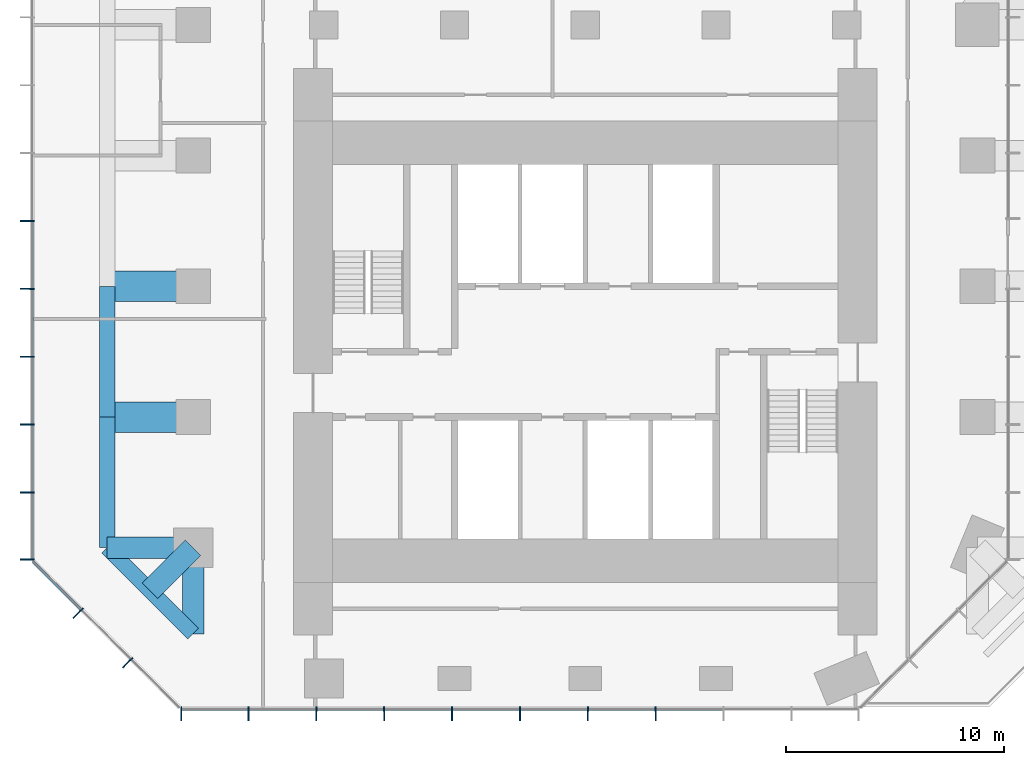
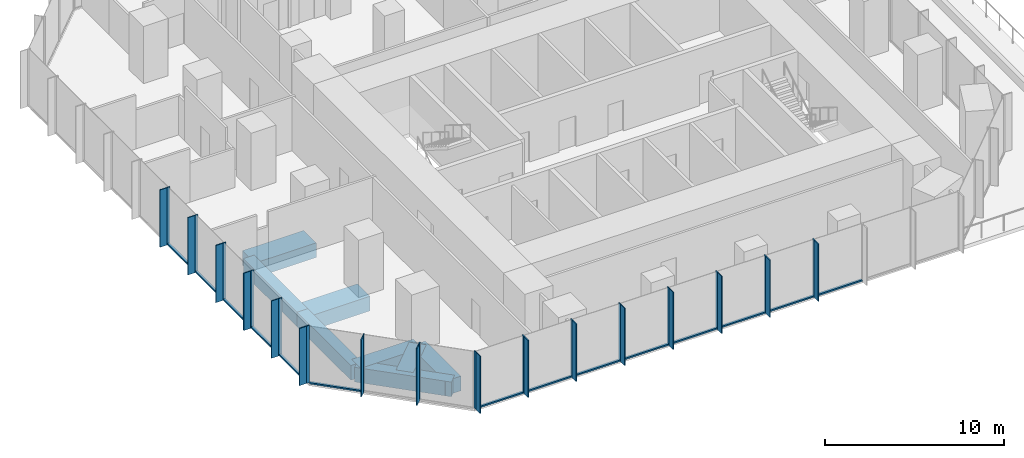
# One storey, part 2 of 11: 46 members, 8 beams, 3 elements without a shape of their own.
"""IFC4 building model written with IfcOpenShell, lengths in metres."""

from ifc_helpers import new_model, si_unit, direction, frame, origin, origin_2d, place, context, subcontext, project, spatial, rectangle, extrude, material, layer, layer_set, material_profile, profile_set, type_object, element, aggregate, save


model = new_model("IFC4")

# Units and contexts
model_context = context("Model", 3, precision=1e-05, world=origin(), true_north=direction((0.0, 1.0)))
body_context = subcontext(model_context, "Body", "Model", "MODEL_VIEW")
ifc_project = project(units=[si_unit("LENGTHUNIT", "METRE"), si_unit("AREAUNIT", "SQUARE_METRE"), si_unit("VOLUMEUNIT", "CUBIC_METRE"), si_unit("PLANEANGLEUNIT", "RADIAN"), si_unit("MASSUNIT", "GRAM", prefix="KILO")], contexts=[model_context])

# Site, building, storey
site_placement = place(None, origin())
site = spatial("IfcSite", under=ifc_project, at=site_placement, CompositionType="ELEMENT")
building_placement = place(site_placement, origin())
building = spatial("IfcBuilding", under=site, at=building_placement, Name="Highveld Stack Headquarters", CompositionType="ELEMENT")
storey_placement = place(building_placement, frame((0.0, 0.0, 188.89990234375)))
storey = spatial("IfcBuildingStorey", under=building, at=storey_placement, Name="L46", CompositionType="ELEMENT", Elevation=188.89990234375)

# Beams
ifc_material_1 = material(Name="Concrete C60/75", Category="concrete")
ifc_material_profile_1 = material_profile(ifc_material_1, rectangle(XDim=1.0, YDim=1.0, at=origin_2d()), Name="RC 1000x1000")
ifc_profile_set_1 = profile_set([ifc_material_profile_1], Name="Concrete C60/75")
beam_type_1 = type_object("IfcBeamType", Name="CANTILEVER RIB RC 1000x1000", PredefinedType="USERDEFINED", material=ifc_profile_set_1)
for number, where, z_axis, x_axis, name in (
    (1, (-12.0, -6.0, -0.75), (-1.0, 0.0, 0.0), (0.0, -1.0, 0.0), "Cantilever rib 4/D L46"),
    (2, (-12.0, -6.0, -0.75), (0.0, -1.0, 0.0), (1.0, 0.0, 0.0), "Cantilever rib 4/D L46"),
):
    element("IfcBeam", number, at=place(storey_placement, frame(where, z_axis=z_axis, x_axis=x_axis)), inside=storey, type_object=beam_type_1, Name=name, ObjectType="CANTILEVER RIB", PredefinedType="USERDEFINED", context=body_context, shape_type="SweptSolid", body=[
        extrude(rectangle(XDim=1.0, YDim=1.0, at=origin_2d()), origin(), (0.0, 0.0, 1.0), 3.949951171875),
    ])
beam_1_placement = place(storey_placement, frame((-12.0, -6.0, -0.75), z_axis=(-0.707106781187, -0.707106781187, 0.0), x_axis=(0.707106781187, -0.707106781187, 0.0)))
element("IfcBeam", 3, at=beam_1_placement, inside=storey, type_object=beam_type_1, Name="Cantilever rib 4/D L46", ObjectType="CANTILEVER RIB", PredefinedType="USERDEFINED", context=body_context, shape_type="SweptSolid", body=[
    extrude(rectangle(XDim=1.0, YDim=1.0, at=origin_2d()), origin(), (0.0, 0.0, 1.0), 2.793212890625),
])
ifc_material_2 = material(Name="Concrete C60/75", Category="concrete")
ifc_material_profile_2 = material_profile(ifc_material_2, rectangle(XDim=1.39990234375, YDim=1.0, at=origin_2d()), Name="RC 1400x1000")
ifc_profile_set_2 = profile_set([ifc_material_profile_2], Name="Concrete C60/75")
beam_type_2 = type_object("IfcBeamType", Name="CANTILEVER RIB RC 1400x1000", PredefinedType="USERDEFINED", material=ifc_profile_set_2)
for number, where, z_axis, x_axis, name in (
    (4, (-12.0, 0.0, -0.75), (-1.0, 0.0, 0.0), (0.0, -1.0, 0.0), "Cantilever rib 4/E L46"),
    (5, (-12.0, 6.0, -0.75), (-1.0, 0.0, 0.0), (0.0, -1.0, 0.0), "Cantilever rib 4/F L46"),
):
    element("IfcBeam", number, at=place(storey_placement, frame(where, z_axis=z_axis, x_axis=x_axis)), inside=storey, type_object=beam_type_2, Name=name, ObjectType="CANTILEVER RIB", PredefinedType="USERDEFINED", context=body_context, shape_type="SweptSolid", body=[
        extrude(rectangle(XDim=1.39990234375, YDim=1.0, at=origin_2d()), origin(), (0.0, 0.0, 1.0), 3.949951171875),
    ])

# Curtain wall, members
ifc_material_3 = material(Name="Aluminium bronze anodised", Category="aluminium")
ifc_layer_1 = layer(ifc_material_3, 0.199951171875)
ifc_layer_set_1 = layer_set([ifc_layer_1], Name="Aluminium bronze anodised")
curtain_wall_type_1 = type_object("IfcCurtainWallType", Name="CW1 TOWER UNITISED CURTAIN WALL", PredefinedType="NOTDEFINED", material=ifc_layer_set_1)
curtain_wall_1_placement = place(storey_placement, origin())
curtain_wall_1 = element("IfcCurtainWall", 6, at=curtain_wall_1_placement, inside=storey, type_object=curtain_wall_type_1, Name="Curtain wall CW1 L46 S", PredefinedType="NOTDEFINED")
ifc_material_4 = material(Name="Aluminium bronze anodised", Category="aluminium")
ifc_material_profile_3 = material_profile(ifc_material_4, rectangle(XDim=0.449951171875, YDim=0.06005859375, at=origin_2d()), Name="FIN 450x60")
ifc_profile_set_3 = profile_set([ifc_material_profile_3], Name="Aluminium bronze anodised")
member_type_1 = type_object("IfcMemberType", Name="CW1 BRONZE FIN 450x60", PredefinedType="USERDEFINED", material=ifc_profile_set_3)
member_1_placement = place(storey_placement, frame((-12.54736328125, -13.72509765625, 0.0), z_axis=(0.0, 0.0, 1.0), x_axis=(0.0, 1.0, 0.0)))
member_1 = element("IfcMember", 7, at=member_1_placement, type_object=member_type_1, Name="CW1 fin L46 1", ObjectType="FIN", PredefinedType="USERDEFINED", context=body_context, shape_type="SweptSolid", body=[
    extrude(rectangle(XDim=0.449951171875, YDim=0.06005859375, at=origin_2d()), origin(), (0.0, 0.0, 1.0), 3.900146484375),
])
member_2_placement = place(storey_placement, frame((-9.4638671875, -13.72509765625, 0.0), z_axis=(0.0, 0.0, 1.0), x_axis=(0.0, 1.0, 0.0)))
member_2 = element("IfcMember", 8, at=member_2_placement, type_object=member_type_1, Name="CW1 fin L46 2", ObjectType="FIN", PredefinedType="USERDEFINED", context=body_context, shape_type="SweptSolid", body=[
    extrude(rectangle(XDim=0.449951171875, YDim=0.06005859375, at=origin_2d()), origin(), (0.0, 0.0, 1.0), 3.900146484375),
])
member_3_placement = place(storey_placement, frame((-6.347900390625, -13.72509765625, 0.0), z_axis=(0.0, 0.0, 1.0), x_axis=(0.0, 1.0, 0.0)))
member_3 = element("IfcMember", 9, at=member_3_placement, type_object=member_type_1, Name="CW1 fin L46 3", ObjectType="FIN", PredefinedType="USERDEFINED", context=body_context, shape_type="SweptSolid", body=[
    extrude(rectangle(XDim=0.449951171875, YDim=0.06005859375, at=origin_2d()), origin(), (0.0, 0.0, 1.0), 3.900146484375),
])
member_4_placement = place(storey_placement, frame((-3.23193359375, -13.72509765625, 0.0), z_axis=(0.0, 0.0, 1.0), x_axis=(0.0, 1.0, 0.0)))
member_4 = element("IfcMember", 10, at=member_4_placement, type_object=member_type_1, Name="CW1 fin L46 4", ObjectType="FIN", PredefinedType="USERDEFINED", context=body_context, shape_type="SweptSolid", body=[
    extrude(rectangle(XDim=0.449951171875, YDim=0.06005859375, at=origin_2d()), origin(), (0.0, 0.0, 1.0), 3.900146484375),
])
member_5_placement = place(storey_placement, frame((-0.115966796875, -13.72509765625, 0.0), z_axis=(0.0, 0.0, 1.0), x_axis=(0.0, 1.0, 0.0)))
member_5 = element("IfcMember", 11, at=member_5_placement, type_object=member_type_1, Name="CW1 fin L46 5", ObjectType="FIN", PredefinedType="USERDEFINED", context=body_context, shape_type="SweptSolid", body=[
    extrude(rectangle(XDim=0.449951171875, YDim=0.06005859375, at=origin_2d()), origin(), (0.0, 0.0, 1.0), 3.900146484375),
])
member_6_placement = place(storey_placement, frame((3.0, -13.72509765625, 0.0), z_axis=(0.0, 0.0, 1.0), x_axis=(0.0, 1.0, 0.0)))
member_6 = element("IfcMember", 12, at=member_6_placement, type_object=member_type_1, Name="CW1 fin L46 6", ObjectType="FIN", PredefinedType="USERDEFINED", context=body_context, shape_type="SweptSolid", body=[
    extrude(rectangle(XDim=0.449951171875, YDim=0.06005859375, at=origin_2d()), origin(), (0.0, 0.0, 1.0), 3.900146484375),
])
member_7_placement = place(storey_placement, frame((6.115966796875, -13.72509765625, 0.0), z_axis=(0.0, 0.0, 1.0), x_axis=(0.0, 1.0, 0.0)))
member_7 = element("IfcMember", 13, at=member_7_placement, type_object=member_type_1, Name="CW1 fin L46 7", ObjectType="FIN", PredefinedType="USERDEFINED", context=body_context, shape_type="SweptSolid", body=[
    extrude(rectangle(XDim=0.449951171875, YDim=0.06005859375, at=origin_2d()), origin(), (0.0, 0.0, 1.0), 3.900146484375),
])
member_8_placement = place(storey_placement, frame((9.23193359375, -13.72509765625, 0.0), z_axis=(0.0, 0.0, 1.0), x_axis=(0.0, 1.0, 0.0)))
member_8 = element("IfcMember", 14, at=member_8_placement, type_object=member_type_1, Name="CW1 fin L46 8", ObjectType="FIN", PredefinedType="USERDEFINED", context=body_context, shape_type="SweptSolid", body=[
    extrude(rectangle(XDim=0.449951171875, YDim=0.06005859375, at=origin_2d()), origin(), (0.0, 0.0, 1.0), 3.900146484375),
])

curtain_wall_2_placement = place(storey_placement, origin())
curtain_wall_2 = element("IfcCurtainWall", 15, at=curtain_wall_2_placement, inside=storey, type_object=curtain_wall_type_1, Name="Curtain wall CW1 L46 W", PredefinedType="NOTDEFINED")
member_9_placement = place(storey_placement, frame((-19.72509765625, 9.0, 0.0), z_axis=(0.0, 0.0, 1.0), x_axis=(1.0, 0.0, 0.0)))
member_9 = element("IfcMember", 16, at=member_9_placement, type_object=member_type_1, Name="CW1 fin L46 6", ObjectType="FIN", PredefinedType="USERDEFINED", context=body_context, shape_type="SweptSolid", body=[
    extrude(rectangle(XDim=0.449951171875, YDim=0.06005859375, at=origin_2d()), origin(), (0.0, 0.0, 1.0), 3.900146484375),
])
member_10_placement = place(storey_placement, frame((-19.72509765625, 5.884033203125, 0.0), z_axis=(0.0, 0.0, 1.0), x_axis=(1.0, 0.0, 0.0)))
member_10 = element("IfcMember", 17, at=member_10_placement, type_object=member_type_1, Name="CW1 fin L46 7", ObjectType="FIN", PredefinedType="USERDEFINED", context=body_context, shape_type="SweptSolid", body=[
    extrude(rectangle(XDim=0.449951171875, YDim=0.06005859375, at=origin_2d()), origin(), (0.0, 0.0, 1.0), 3.900146484375),
])
member_11_placement = place(storey_placement, frame((-19.72509765625, 2.76806640625, 0.0), z_axis=(0.0, 0.0, 1.0), x_axis=(1.0, 0.0, 0.0)))
member_11 = element("IfcMember", 18, at=member_11_placement, type_object=member_type_1, Name="CW1 fin L46 8", ObjectType="FIN", PredefinedType="USERDEFINED", context=body_context, shape_type="SweptSolid", body=[
    extrude(rectangle(XDim=0.449951171875, YDim=0.06005859375, at=origin_2d()), origin(), (0.0, 0.0, 1.0), 3.900146484375),
])
member_12_placement = place(storey_placement, frame((-19.72509765625, -0.347900390625, 0.0), z_axis=(0.0, 0.0, 1.0), x_axis=(1.0, 0.0, 0.0)))
member_12 = element("IfcMember", 19, at=member_12_placement, type_object=member_type_1, Name="CW1 fin L46 9", ObjectType="FIN", PredefinedType="USERDEFINED", context=body_context, shape_type="SweptSolid", body=[
    extrude(rectangle(XDim=0.449951171875, YDim=0.06005859375, at=origin_2d()), origin(), (0.0, 0.0, 1.0), 3.900146484375),
])
member_13_placement = place(storey_placement, frame((-19.72509765625, -3.4638671875, 0.0), z_axis=(0.0, 0.0, 1.0), x_axis=(1.0, 0.0, 0.0)))
member_13 = element("IfcMember", 20, at=member_13_placement, type_object=member_type_1, Name="CW1 fin L46 10", ObjectType="FIN", PredefinedType="USERDEFINED", context=body_context, shape_type="SweptSolid", body=[
    extrude(rectangle(XDim=0.449951171875, YDim=0.06005859375, at=origin_2d()), origin(), (0.0, 0.0, 1.0), 3.900146484375),
])
member_14_placement = place(storey_placement, frame((-19.72509765625, -6.54736328125, 0.0), z_axis=(0.0, 0.0, 1.0), x_axis=(1.0, 0.0, 0.0)))
member_14 = element("IfcMember", 21, at=member_14_placement, type_object=member_type_1, Name="CW1 fin L46 11", ObjectType="FIN", PredefinedType="USERDEFINED", context=body_context, shape_type="SweptSolid", body=[
    extrude(rectangle(XDim=0.449951171875, YDim=0.06005859375, at=origin_2d()), origin(), (0.0, 0.0, 1.0), 3.900146484375),
])

# Member
ifc_material_5 = material(Name="Aluminium bronze anodised", Category="aluminium")
ifc_material_profile_4 = material_profile(ifc_material_5, rectangle(XDim=0.199951171875, YDim=0.06494140625, at=origin_2d()), Name="CW1 MULLION 65x200")
ifc_profile_set_4 = profile_set([ifc_material_profile_4], Name="Aluminium bronze anodised")
member_type_2 = type_object("IfcMemberType", Name="CW1 MULLION 65x200", PredefinedType="MULLION", material=ifc_profile_set_4)
member_15_placement = place(storey_placement, frame((-12.54736328125, -13.39990234375, 0.0), z_axis=(0.0, 0.0, 1.0), x_axis=(0.0, 1.0, 0.0)))
member_15 = element("IfcMember", 22, at=member_15_placement, type_object=member_type_2, Name="CW1 mullion L46 1", PredefinedType="MULLION", context=body_context, shape_type="SweptSolid", body=[
    extrude(rectangle(XDim=0.199951171875, YDim=0.06494140625, at=origin_2d()), origin(), (0.0, 0.0, 1.0), 3.900146484375),
])

member_16_placement = place(storey_placement, frame((-9.4638671875, -13.39990234375, 0.0), z_axis=(0.0, 0.0, 1.0), x_axis=(0.0, 1.0, 0.0)))
member_16 = element("IfcMember", 23, at=member_16_placement, type_object=member_type_2, Name="CW1 mullion L46 2", PredefinedType="MULLION", context=body_context, shape_type="SweptSolid", body=[
    extrude(rectangle(XDim=0.199951171875, YDim=0.06494140625, at=origin_2d()), origin(), (0.0, 0.0, 1.0), 3.900146484375),
])

member_17_placement = place(storey_placement, frame((-6.347900390625, -13.39990234375, 0.0), z_axis=(0.0, 0.0, 1.0), x_axis=(0.0, 1.0, 0.0)))
member_17 = element("IfcMember", 24, at=member_17_placement, type_object=member_type_2, Name="CW1 mullion L46 3", PredefinedType="MULLION", context=body_context, shape_type="SweptSolid", body=[
    extrude(rectangle(XDim=0.199951171875, YDim=0.06494140625, at=origin_2d()), origin(), (0.0, 0.0, 1.0), 3.900146484375),
])

member_18_placement = place(storey_placement, frame((-3.23193359375, -13.39990234375, 0.0), z_axis=(0.0, 0.0, 1.0), x_axis=(0.0, 1.0, 0.0)))
member_18 = element("IfcMember", 25, at=member_18_placement, type_object=member_type_2, Name="CW1 mullion L46 4", PredefinedType="MULLION", context=body_context, shape_type="SweptSolid", body=[
    extrude(rectangle(XDim=0.199951171875, YDim=0.06494140625, at=origin_2d()), origin(), (0.0, 0.0, 1.0), 3.900146484375),
])

member_19_placement = place(storey_placement, frame((-0.115966796875, -13.39990234375, 0.0), z_axis=(0.0, 0.0, 1.0), x_axis=(0.0, 1.0, 0.0)))
member_19 = element("IfcMember", 26, at=member_19_placement, type_object=member_type_2, Name="CW1 mullion L46 5", PredefinedType="MULLION", context=body_context, shape_type="SweptSolid", body=[
    extrude(rectangle(XDim=0.199951171875, YDim=0.06494140625, at=origin_2d()), origin(), (0.0, 0.0, 1.0), 3.900146484375),
])

member_20_placement = place(storey_placement, frame((3.0, -13.39990234375, 0.0), z_axis=(0.0, 0.0, 1.0), x_axis=(0.0, 1.0, 0.0)))
member_20 = element("IfcMember", 27, at=member_20_placement, type_object=member_type_2, Name="CW1 mullion L46 6", PredefinedType="MULLION", context=body_context, shape_type="SweptSolid", body=[
    extrude(rectangle(XDim=0.199951171875, YDim=0.06494140625, at=origin_2d()), origin(), (0.0, 0.0, 1.0), 3.900146484375),
])

member_21_placement = place(storey_placement, frame((6.115966796875, -13.39990234375, 0.0), z_axis=(0.0, 0.0, 1.0), x_axis=(0.0, 1.0, 0.0)))
member_21 = element("IfcMember", 28, at=member_21_placement, type_object=member_type_2, Name="CW1 mullion L46 7", PredefinedType="MULLION", context=body_context, shape_type="SweptSolid", body=[
    extrude(rectangle(XDim=0.199951171875, YDim=0.06494140625, at=origin_2d()), origin(), (0.0, 0.0, 1.0), 3.900146484375),
])

member_22_placement = place(storey_placement, frame((9.23193359375, -13.39990234375, 0.0), z_axis=(0.0, 0.0, 1.0), x_axis=(0.0, 1.0, 0.0)))
member_22 = element("IfcMember", 29, at=member_22_placement, type_object=member_type_2, Name="CW1 mullion L46 8", PredefinedType="MULLION", context=body_context, shape_type="SweptSolid", body=[
    extrude(rectangle(XDim=0.199951171875, YDim=0.06494140625, at=origin_2d()), origin(), (0.0, 0.0, 1.0), 3.900146484375),
])

member_23_placement = place(storey_placement, frame((-19.39990234375, 9.0, 0.0), z_axis=(0.0, 0.0, 1.0), x_axis=(1.0, 0.0, 0.0)))
member_23 = element("IfcMember", 30, at=member_23_placement, type_object=member_type_2, Name="CW1 mullion L46 6", PredefinedType="MULLION", context=body_context, shape_type="SweptSolid", body=[
    extrude(rectangle(XDim=0.199951171875, YDim=0.06494140625, at=origin_2d()), origin(), (0.0, 0.0, 1.0), 3.900146484375),
])

member_24_placement = place(storey_placement, frame((-19.39990234375, 5.884033203125, 0.0), z_axis=(0.0, 0.0, 1.0), x_axis=(1.0, 0.0, 0.0)))
member_24 = element("IfcMember", 31, at=member_24_placement, type_object=member_type_2, Name="CW1 mullion L46 7", PredefinedType="MULLION", context=body_context, shape_type="SweptSolid", body=[
    extrude(rectangle(XDim=0.199951171875, YDim=0.06494140625, at=origin_2d()), origin(), (0.0, 0.0, 1.0), 3.900146484375),
])

member_25_placement = place(storey_placement, frame((-19.39990234375, 2.76806640625, 0.0), z_axis=(0.0, 0.0, 1.0), x_axis=(1.0, 0.0, 0.0)))
member_25 = element("IfcMember", 32, at=member_25_placement, type_object=member_type_2, Name="CW1 mullion L46 8", PredefinedType="MULLION", context=body_context, shape_type="SweptSolid", body=[
    extrude(rectangle(XDim=0.199951171875, YDim=0.06494140625, at=origin_2d()), origin(), (0.0, 0.0, 1.0), 3.900146484375),
])

member_26_placement = place(storey_placement, frame((-19.39990234375, -0.347900390625, 0.0), z_axis=(0.0, 0.0, 1.0), x_axis=(1.0, 0.0, 0.0)))
member_26 = element("IfcMember", 33, at=member_26_placement, type_object=member_type_2, Name="CW1 mullion L46 9", PredefinedType="MULLION", context=body_context, shape_type="SweptSolid", body=[
    extrude(rectangle(XDim=0.199951171875, YDim=0.06494140625, at=origin_2d()), origin(), (0.0, 0.0, 1.0), 3.900146484375),
])

member_27_placement = place(storey_placement, frame((-19.39990234375, -3.4638671875, 0.0), z_axis=(0.0, 0.0, 1.0), x_axis=(1.0, 0.0, 0.0)))
member_27 = element("IfcMember", 34, at=member_27_placement, type_object=member_type_2, Name="CW1 mullion L46 10", PredefinedType="MULLION", context=body_context, shape_type="SweptSolid", body=[
    extrude(rectangle(XDim=0.199951171875, YDim=0.06494140625, at=origin_2d()), origin(), (0.0, 0.0, 1.0), 3.900146484375),
])

member_28_placement = place(storey_placement, frame((-19.39990234375, -6.54736328125, 0.0), z_axis=(0.0, 0.0, 1.0), x_axis=(1.0, 0.0, 0.0)))
member_28 = element("IfcMember", 35, at=member_28_placement, type_object=member_type_2, Name="CW1 mullion L46 11", PredefinedType="MULLION", context=body_context, shape_type="SweptSolid", body=[
    extrude(rectangle(XDim=0.199951171875, YDim=0.06494140625, at=origin_2d()), origin(), (0.0, 0.0, 1.0), 3.900146484375),
])

ifc_material_6 = material(Name="Aluminium bronze anodised", Category="aluminium")
ifc_material_profile_5 = material_profile(ifc_material_6, rectangle(XDim=0.14990234375, YDim=0.10009765625, at=origin_2d()), Name="CW1 TRANSOM 150x100")
ifc_profile_set_5 = profile_set([ifc_material_profile_5], Name="Aluminium bronze anodised")
member_type_3 = type_object("IfcMemberType", Name="CW1 STACK TRANSOM 150x100", PredefinedType="USERDEFINED", material=ifc_profile_set_5)
member_29_placement = place(storey_placement, frame((-12.514892578125, -13.39990234375, 0.050048828125), z_axis=(1.0, 0.0, 0.0), x_axis=(0.0, 1.0, 0.0)))
member_29 = element("IfcMember", 36, at=member_29_placement, type_object=member_type_3, Name="CW1 transom L46 1.1", ObjectType="TRANSOM", PredefinedType="USERDEFINED", context=body_context, shape_type="SweptSolid", body=[
    extrude(rectangle(XDim=0.14990234375, YDim=0.10009765625, at=origin_2d()), origin(), (0.0, 0.0, 1.0), 3.0185546875),
])

member_30_placement = place(storey_placement, frame((-9.431396484375, -13.39990234375, 0.050048828125), z_axis=(1.0, 0.0, 0.0), x_axis=(0.0, 1.0, 0.0)))
member_30 = element("IfcMember", 37, at=member_30_placement, type_object=member_type_3, Name="CW1 transom L46 2.1", ObjectType="TRANSOM", PredefinedType="USERDEFINED", context=body_context, shape_type="SweptSolid", body=[
    extrude(rectangle(XDim=0.14990234375, YDim=0.10009765625, at=origin_2d()), origin(), (0.0, 0.0, 1.0), 3.051025390625),
])

member_31_placement = place(storey_placement, frame((-6.3154296875, -13.39990234375, 0.050048828125), z_axis=(1.0, 0.0, 0.0), x_axis=(0.0, 1.0, 0.0)))
member_31 = element("IfcMember", 38, at=member_31_placement, type_object=member_type_3, Name="CW1 transom L46 3.1", ObjectType="TRANSOM", PredefinedType="USERDEFINED", context=body_context, shape_type="SweptSolid", body=[
    extrude(rectangle(XDim=0.14990234375, YDim=0.10009765625, at=origin_2d()), origin(), (0.0, 0.0, 1.0), 3.051025390625),
])

member_32_placement = place(storey_placement, frame((-3.199462890625, -13.39990234375, 0.050048828125), z_axis=(1.0, 0.0, 0.0), x_axis=(0.0, 1.0, 0.0)))
member_32 = element("IfcMember", 39, at=member_32_placement, type_object=member_type_3, Name="CW1 transom L46 4.1", ObjectType="TRANSOM", PredefinedType="USERDEFINED", context=body_context, shape_type="SweptSolid", body=[
    extrude(rectangle(XDim=0.14990234375, YDim=0.10009765625, at=origin_2d()), origin(), (0.0, 0.0, 1.0), 3.051025390625),
])

member_33_placement = place(storey_placement, frame((-0.08349609375, -13.39990234375, 0.050048828125), z_axis=(1.0, 0.0, 0.0), x_axis=(0.0, 1.0, 0.0)))
member_33 = element("IfcMember", 40, at=member_33_placement, type_object=member_type_3, Name="CW1 transom L46 5.1", ObjectType="TRANSOM", PredefinedType="USERDEFINED", context=body_context, shape_type="SweptSolid", body=[
    extrude(rectangle(XDim=0.14990234375, YDim=0.10009765625, at=origin_2d()), origin(), (0.0, 0.0, 1.0), 3.051025390625),
])

member_34_placement = place(storey_placement, frame((3.032470703125, -13.39990234375, 0.050048828125), z_axis=(1.0, 0.0, 0.0), x_axis=(0.0, 1.0, 0.0)))
member_34 = element("IfcMember", 41, at=member_34_placement, type_object=member_type_3, Name="CW1 transom L46 6.1", ObjectType="TRANSOM", PredefinedType="USERDEFINED", context=body_context, shape_type="SweptSolid", body=[
    extrude(rectangle(XDim=0.14990234375, YDim=0.10009765625, at=origin_2d()), origin(), (0.0, 0.0, 1.0), 3.051025390625),
])

member_35_placement = place(storey_placement, frame((6.1484375, -13.39990234375, 0.050048828125), z_axis=(1.0, 0.0, 0.0), x_axis=(0.0, 1.0, 0.0)))
member_35 = element("IfcMember", 42, at=member_35_placement, type_object=member_type_3, Name="CW1 transom L46 7.1", ObjectType="TRANSOM", PredefinedType="USERDEFINED", context=body_context, shape_type="SweptSolid", body=[
    extrude(rectangle(XDim=0.14990234375, YDim=0.10009765625, at=origin_2d()), origin(), (0.0, 0.0, 1.0), 3.051025390625),
])

member_36_placement = place(storey_placement, frame((9.264404296875, -13.39990234375, 0.050048828125), z_axis=(1.0, 0.0, 0.0), x_axis=(0.0, 1.0, 0.0)))
member_36 = element("IfcMember", 43, at=member_36_placement, type_object=member_type_3, Name="CW1 transom L46 8.1", ObjectType="TRANSOM", PredefinedType="USERDEFINED", context=body_context, shape_type="SweptSolid", body=[
    extrude(rectangle(XDim=0.14990234375, YDim=0.10009765625, at=origin_2d()), origin(), (0.0, 0.0, 1.0), 3.051025390625),
])

aggregate(curtain_wall_1, [member_15, member_1, member_16, member_2, member_17, member_3, member_18, member_4, member_19, member_5, member_20, member_6, member_21, member_7, member_22, member_8, member_29, member_30, member_31, member_32, member_33, member_34, member_35, member_36])

member_37_placement = place(storey_placement, frame((-19.39990234375, 8.967529296875, 0.050048828125), z_axis=(0.0, -1.0, 0.0), x_axis=(1.0, 0.0, 0.0)))
member_37 = element("IfcMember", 44, at=member_37_placement, type_object=member_type_3, Name="CW1 transom L46 6.1", ObjectType="TRANSOM", PredefinedType="USERDEFINED", context=body_context, shape_type="SweptSolid", body=[
    extrude(rectangle(XDim=0.14990234375, YDim=0.10009765625, at=origin_2d()), origin(), (0.0, 0.0, 1.0), 3.051025390625),
])

member_38_placement = place(storey_placement, frame((-19.39990234375, 5.8515625, 0.050048828125), z_axis=(0.0, -1.0, 0.0), x_axis=(1.0, 0.0, 0.0)))
member_38 = element("IfcMember", 45, at=member_38_placement, type_object=member_type_3, Name="CW1 transom L46 7.1", ObjectType="TRANSOM", PredefinedType="USERDEFINED", context=body_context, shape_type="SweptSolid", body=[
    extrude(rectangle(XDim=0.14990234375, YDim=0.10009765625, at=origin_2d()), origin(), (0.0, 0.0, 1.0), 3.051025390625),
])

member_39_placement = place(storey_placement, frame((-19.39990234375, 2.735595703125, 0.050048828125), z_axis=(0.0, -1.0, 0.0), x_axis=(1.0, 0.0, 0.0)))
member_39 = element("IfcMember", 46, at=member_39_placement, type_object=member_type_3, Name="CW1 transom L46 8.1", ObjectType="TRANSOM", PredefinedType="USERDEFINED", context=body_context, shape_type="SweptSolid", body=[
    extrude(rectangle(XDim=0.14990234375, YDim=0.10009765625, at=origin_2d()), origin(), (0.0, 0.0, 1.0), 3.051025390625),
])

member_40_placement = place(storey_placement, frame((-19.39990234375, -0.38037109375, 0.050048828125), z_axis=(0.0, -1.0, 0.0), x_axis=(1.0, 0.0, 0.0)))
member_40 = element("IfcMember", 47, at=member_40_placement, type_object=member_type_3, Name="CW1 transom L46 9.1", ObjectType="TRANSOM", PredefinedType="USERDEFINED", context=body_context, shape_type="SweptSolid", body=[
    extrude(rectangle(XDim=0.14990234375, YDim=0.10009765625, at=origin_2d()), origin(), (0.0, 0.0, 1.0), 3.051025390625),
])

member_41_placement = place(storey_placement, frame((-19.39990234375, -3.496337890625, 0.050048828125), z_axis=(0.0, -1.0, 0.0), x_axis=(1.0, 0.0, 0.0)))
member_41 = element("IfcMember", 48, at=member_41_placement, type_object=member_type_3, Name="CW1 transom L46 10.1", ObjectType="TRANSOM", PredefinedType="USERDEFINED", context=body_context, shape_type="SweptSolid", body=[
    extrude(rectangle(XDim=0.14990234375, YDim=0.10009765625, at=origin_2d()), origin(), (0.0, 0.0, 1.0), 3.0185546875),
])

aggregate(curtain_wall_2, [member_23, member_9, member_24, member_10, member_25, member_11, member_26, member_12, member_27, member_13, member_28, member_14, member_37, member_38, member_39, member_40, member_41])

# Curtain wall, members
ifc_material_7 = material(Name="Aluminium bronze anodised", Category="aluminium")
ifc_layer_2 = layer(ifc_material_7, 0.199951171875)
ifc_layer_set_2 = layer_set([ifc_layer_2], Name="Aluminium bronze anodised")
curtain_wall_type_2 = type_object("IfcCurtainWallType", Name="CW2 TOWER CHAMFER UNITISED CURTAIN WALL", PredefinedType="NOTDEFINED", material=ifc_layer_set_2)
curtain_wall_3_placement = place(storey_placement, origin())
curtain_wall_3 = element("IfcCurtainWall", 49, at=curtain_wall_3_placement, inside=storey, type_object=curtain_wall_type_2, Name="Curtain wall CW2 L46 SW", PredefinedType="NOTDEFINED")
ifc_material_8 = material(Name="Aluminium bronze anodised", Category="aluminium")
ifc_material_profile_6 = material_profile(ifc_material_8, rectangle(XDim=0.449951171875, YDim=0.06005859375, at=origin_2d()), Name="FIN 450x60")
ifc_profile_set_6 = profile_set([ifc_material_profile_6], Name="Aluminium bronze anodised")
member_type_4 = type_object("IfcMemberType", Name="CW2 BRONZE FIN 450x60", PredefinedType="USERDEFINED", material=ifc_profile_set_6)
member_42_placement = place(storey_placement, frame((-17.3564453125, -9.0830078125, 0.0), z_axis=(0.0, 0.0, 1.0), x_axis=(0.707106781187, 0.707106781187, 0.0)))
member_42 = element("IfcMember", 50, at=member_42_placement, type_object=member_type_4, Name="CW2 fin L46 1", ObjectType="FIN", PredefinedType="USERDEFINED", context=body_context, shape_type="SweptSolid", body=[
    extrude(rectangle(XDim=0.449951171875, YDim=0.06005859375, at=origin_2d()), origin(), (0.0, 0.0, 1.0), 3.900146484375),
])
member_43_placement = place(storey_placement, frame((-15.0830078125, -11.3564453125, 0.0), z_axis=(0.0, 0.0, 1.0), x_axis=(0.707106781187, 0.707106781187, 0.0)))
member_43 = element("IfcMember", 51, at=member_43_placement, type_object=member_type_4, Name="CW2 fin L46 2", ObjectType="FIN", PredefinedType="USERDEFINED", context=body_context, shape_type="SweptSolid", body=[
    extrude(rectangle(XDim=0.449951171875, YDim=0.06005859375, at=origin_2d()), origin(), (0.0, 0.0, 1.0), 3.900146484375),
])
ifc_material_9 = material(Name="Aluminium bronze anodised", Category="aluminium")
ifc_material_profile_7 = material_profile(ifc_material_9, rectangle(XDim=0.199951171875, YDim=0.06494140625, at=origin_2d()), Name="CW2 MULLION 65x200")
ifc_profile_set_7 = profile_set([ifc_material_profile_7], Name="Aluminium bronze anodised")
member_type_5 = type_object("IfcMemberType", Name="CW2 MULLION 65x200", PredefinedType="MULLION", material=ifc_profile_set_7)
member_44_placement = place(storey_placement, frame((-17.126708984375, -8.853271484375, 0.0), z_axis=(0.0, 0.0, 1.0), x_axis=(0.707106781187, 0.707106781187, 0.0)))
member_44 = element("IfcMember", 52, at=member_44_placement, type_object=member_type_5, Name="CW2 mullion L46 1", PredefinedType="MULLION", context=body_context, shape_type="SweptSolid", body=[
    extrude(rectangle(XDim=0.199951171875, YDim=0.06494140625, at=origin_2d()), origin(), (0.0, 0.0, 1.0), 3.900146484375),
])
member_45_placement = place(storey_placement, frame((-14.853271484375, -11.126708984375, 0.0), z_axis=(0.0, 0.0, 1.0), x_axis=(0.707106781187, 0.707106781187, 0.0)))
member_45 = element("IfcMember", 53, at=member_45_placement, type_object=member_type_5, Name="CW2 mullion L46 2", PredefinedType="MULLION", context=body_context, shape_type="SweptSolid", body=[
    extrude(rectangle(XDim=0.199951171875, YDim=0.06494140625, at=origin_2d()), origin(), (0.0, 0.0, 1.0), 3.900146484375),
])
ifc_material_10 = material(Name="Aluminium bronze anodised", Category="aluminium")
ifc_material_profile_8 = material_profile(ifc_material_10, rectangle(XDim=0.14990234375, YDim=0.10009765625, at=origin_2d()), Name="CW2 TRANSOM 150x100")
ifc_profile_set_8 = profile_set([ifc_material_profile_8], Name="Aluminium bronze anodised")
member_type_6 = type_object("IfcMemberType", Name="CW2 STACK TRANSOM 150x100", PredefinedType="USERDEFINED", material=ifc_profile_set_8)
member_46_placement = place(storey_placement, frame((-19.329345703125, -6.650634765625, 0.050048828125), z_axis=(0.707106781187, -0.707106781187, 0.0), x_axis=(0.707106781187, 0.707106781187, 0.0)))
member_46 = element("IfcMember", 54, at=member_46_placement, type_object=member_type_6, Name="CW2 transom L46 1.1", ObjectType="TRANSOM", PredefinedType="USERDEFINED", context=body_context, shape_type="SweptSolid", body=[
    extrude(rectangle(XDim=0.14990234375, YDim=0.10009765625, at=origin_2d()), origin(), (0.0, 0.0, 1.0), 3.08251953125),
])
aggregate(curtain_wall_3, [member_44, member_42, member_45, member_43, member_46])

# Beams
ifc_material_11 = material(Name="Concrete C60/75", Category="concrete")
ifc_material_profile_9 = material_profile(ifc_material_11, rectangle(XDim=0.699951171875, YDim=1.0, at=origin_2d()), Name="RC 700x1000")
ifc_profile_set_9 = profile_set([ifc_material_profile_9], Name="Concrete C60/75")
beam_type_3 = type_object("IfcBeamType", Name="RIB TIP BEAM RC 700x1000", PredefinedType="SPANDREL", material=ifc_profile_set_9)
for number, where, z_axis, x_axis, name in (
    (55, (-15.949951171875, -6.0, -0.75), (0.0, 1.0, 0.0), (-1.0, 0.0, 0.0), "Rib tip beam 4/D to 4/E L46"),
    (56, (-15.949951171875, 0.0, -0.75), (0.0, 1.0, 0.0), (-1.0, 0.0, 0.0), "Rib tip beam 4/E to 4/F L46"),
):
    element("IfcBeam", number, at=place(storey_placement, frame(where, z_axis=z_axis, x_axis=x_axis)), inside=storey, type_object=beam_type_3, Name=name, PredefinedType="SPANDREL", context=body_context, shape_type="SweptSolid", body=[
        extrude(rectangle(XDim=0.699951171875, YDim=1.0, at=origin_2d()), origin(), (0.0, 0.0, 1.0), 6.0),
    ])
beam_2_placement = place(storey_placement, frame((-15.949951171875, -6.0, -0.75), z_axis=(0.707106781187, -0.707106781187, 0.0), x_axis=(0.707106781187, 0.707106781187, 0.0)))
element("IfcBeam", 57, at=beam_2_placement, inside=storey, type_object=beam_type_3, Name="Rib tip beam 4/D corner L46", PredefinedType="SPANDREL", context=body_context, shape_type="SweptSolid", body=[
    extrude(rectangle(XDim=0.699951171875, YDim=1.0, at=origin_2d()), origin(), (0.0, 0.0, 1.0), 5.586181640625),
])

save(model, "model.ifc")
